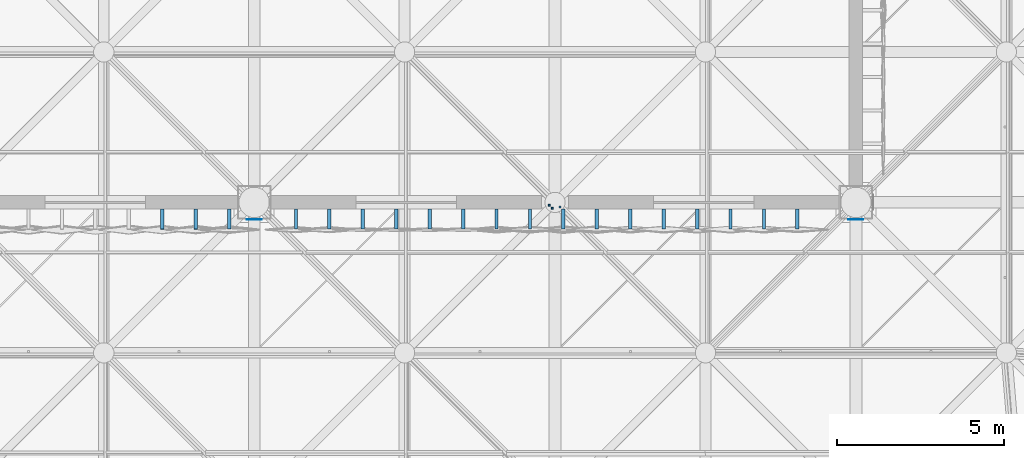
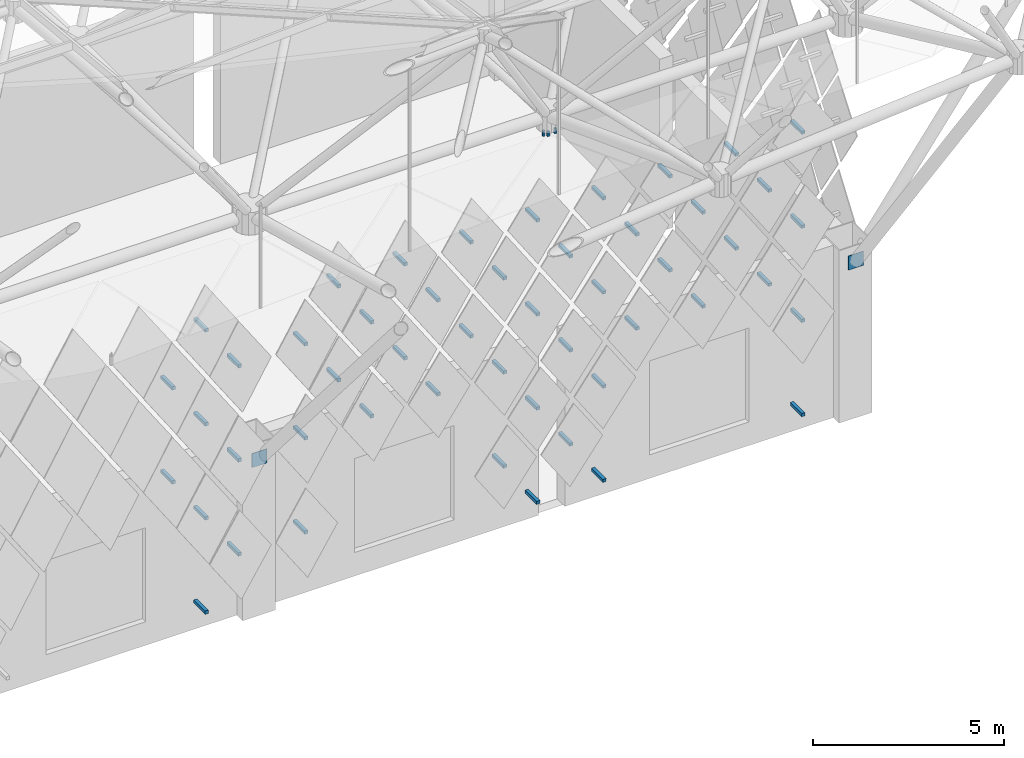
# One storey, part 372 of 437: 55 discrete accessories.
"""IFC4 building model written with IfcOpenShell, lengths in metres."""

from ifc_helpers import new_model, si_unit, direction, frame, origin, place, context, subcontext, project, spatial, polyline, outline, extrude, material, layer, layer_set, type_object, element, save


model = new_model("IFC4")

# Units and contexts
model_context = context("Model", 3, precision=1e-05, world=origin(), true_north=direction((0.0, 1.0)))
body_context = subcontext(model_context, "Body", "Model", "MODEL_VIEW")
ifc_project = project(units=[si_unit("LENGTHUNIT", "METRE"), si_unit("AREAUNIT", "SQUARE_METRE"), si_unit("VOLUMEUNIT", "CUBIC_METRE"), si_unit("PLANEANGLEUNIT", "RADIAN"), si_unit("MASSUNIT", "GRAM", prefix="KILO")], contexts=[model_context])

# Site, building, storey
site_placement = place(None, origin())
site = spatial("IfcSite", under=ifc_project, at=site_placement, CompositionType="ELEMENT")
building_placement = place(site_placement, origin())
building = spatial("IfcBuilding", under=site, at=building_placement, Name="Opaline Strait Convention Centre", CompositionType="ELEMENT")
storey_placement = place(building_placement, frame((0.0, 0.0, 11.5)))
storey = spatial("IfcBuildingStorey", under=building, at=storey_placement, Name="L02", CompositionType="ELEMENT", Elevation=11.5)

# Discrete accessories
ifc_material_1 = material(Name="Structural steel Q355B", Category="steel")
ifc_layer = layer(ifc_material_1, 0.01611328125)
ifc_layer_set = layer_set([ifc_layer], Name="Structural steel Q355B")
discrete_accessory_type_1 = type_object("IfcDiscreteAccessoryType", Name="Prop bearing plate 450 x 450 x 16", PredefinedType="ANCHORPLATE", material=ifc_layer_set)
discrete_accessory_1_placement = place(storey_placement, frame((0.0, 0.0, 4.793701171875)))
element("IfcDiscreteAccessory", 1, at=discrete_accessory_1_placement, inside=storey, type_object=discrete_accessory_type_1, Name="Prop bearing plate 243/54 S", PredefinedType="ANCHORPLATE", context=body_context, shape_type="SweptSolid", body=[
    extrude(outline(polyline([(242.77490234375, 53.48388671875), (243.22509765625, 53.48388671875), (243.22509765625, 53.5), (242.77490234375, 53.5), (242.77490234375, 53.48388671875)])), origin(), (0.0, 0.0, 1.0), 0.449951171875),
])
discrete_accessory_2_placement = place(storey_placement, frame((0.0, 0.0, 4.796875)))
element("IfcDiscreteAccessory", 2, at=discrete_accessory_2_placement, inside=storey, type_object=discrete_accessory_type_1, Name="Prop bearing plate 261/54 S", PredefinedType="ANCHORPLATE", context=body_context, shape_type="SweptSolid", body=[
    extrude(outline(polyline([(260.77490234375, 53.48388671875), (261.22509765625, 53.48388671875), (261.22509765625, 53.5), (260.77490234375, 53.5), (260.77490234375, 53.48388671875)])), origin(), (0.0, 0.0, 1.0), 0.449951171875),
])
ifc_material_2 = material(Name="Steel Q355B", Category="steel")
discrete_accessory_type_2 = type_object("IfcDiscreteAccessoryType", Name="Soffit hanger 60x60 steel", PredefinedType="BRACKET", material=ifc_material_2)
discrete_accessory_3_placement = place(storey_placement, frame((0.0, 0.0, 11.977294921875)))
element("IfcDiscreteAccessory", 3, at=discrete_accessory_3_placement, inside=storey, type_object=discrete_accessory_type_2, Name="Soffit hanger", PredefinedType="BRACKET", context=body_context, shape_type="SweptSolid", body=[
    extrude(outline(polyline([(251.880859375, 53.791015625), (251.940673828125, 53.791015625), (251.940673828125, 53.85107421875), (251.880859375, 53.85107421875), (251.880859375, 53.791015625)])), origin(), (0.0, 0.0, 1.0), 0.16259765625),
])
discrete_accessory_4_placement = place(storey_placement, frame((0.0, 0.0, 11.95849609375)))
element("IfcDiscreteAccessory", 4, at=discrete_accessory_4_placement, inside=storey, type_object=discrete_accessory_type_2, Name="Soffit hanger", PredefinedType="BRACKET", context=body_context, shape_type="SweptSolid", body=[
    extrude(outline(polyline([(251.791015625, 53.880859375), (251.85107421875, 53.880859375), (251.85107421875, 53.940673828125), (251.791015625, 53.940673828125), (251.791015625, 53.880859375)])), origin(), (0.0, 0.0, 1.0), 0.181396484375),
])
discrete_accessory_5_placement = place(storey_placement, frame((0.0, 0.0, 11.967529296875)))
element("IfcDiscreteAccessory", 5, at=discrete_accessory_5_placement, inside=storey, type_object=discrete_accessory_type_2, Name="Soffit hanger", PredefinedType="BRACKET", context=body_context, shape_type="SweptSolid", body=[
    extrude(outline(polyline([(252.111328125, 53.82861328125), (252.17138671875, 53.82861328125), (252.17138671875, 53.888671875), (252.111328125, 53.888671875), (252.111328125, 53.82861328125)])), origin(), (0.0, 0.0, 1.0), 0.17236328125),
])
discrete_accessory_type_3 = type_object("IfcDiscreteAccessoryType", Name="Tile bracket 100x100 steel", PredefinedType="BRACKET", material=ifc_material_2)
discrete_accessory_6_placement = place(storey_placement, frame((241.199951171875, 53.800048828125, 0.89208984375), z_axis=(1.0, 0.0, 0.0), x_axis=(0.0, 1.0, 0.0)))
element("IfcDiscreteAccessory", 6, at=discrete_accessory_6_placement, inside=storey, type_object=discrete_accessory_type_3, Name="Tile bracket XT04 S", PredefinedType="BRACKET", context=body_context, shape_type="SweptSolid", body=[
    extrude(outline(polyline([(0.0, -0.050048828125), (0.0, 0.050048828125), (-0.59814453125, 0.050048828125), (-0.601806640625, -0.050048828125), (0.0, -0.050048828125)])), origin(), (0.0, 0.0, 1.0), 0.10009765625),
])
for number, where, z_axis, x_axis, name in (
    (7, (251.199951171875, 53.800048828125, 0.89208984375), (1.0, 0.0, 0.0), (0.0, 1.0, 0.0), "Tile bracket XT08 S"),
    (8, (253.199951171875, 53.800048828125, 0.89208984375), (1.0, 0.0, 0.0), (0.0, 1.0, 0.0), "Tile bracket XT08 S"),
):
    element("IfcDiscreteAccessory", number, at=place(storey_placement, frame(where, z_axis=z_axis, x_axis=x_axis)), inside=storey, type_object=discrete_accessory_type_3, Name=name, PredefinedType="BRACKET", context=body_context, shape_type="SweptSolid", body=[
        extrude(outline(polyline([(0.0, -0.050048828125), (0.0, 0.050048828125), (-0.603515625, 0.050048828125), (-0.596435546875, -0.050048828125), (0.0, -0.050048828125)])), origin(), (0.0, 0.0, 1.0), 0.10009765625),
    ])
discrete_accessory_7_placement = place(storey_placement, frame((259.199951171875, 53.800048828125, 0.89208984375), z_axis=(1.0, 0.0, 0.0), x_axis=(0.0, 1.0, 0.0)))
element("IfcDiscreteAccessory", 9, at=discrete_accessory_7_placement, inside=storey, type_object=discrete_accessory_type_3, Name="Tile bracket XT02 S", PredefinedType="BRACKET", context=body_context, shape_type="SweptSolid", body=[
    extrude(outline(polyline([(0.0, -0.050048828125), (0.0, 0.050048828125), (-0.600830078125, 0.050048828125), (-0.59912109375, -0.050048828125), (0.0, -0.050048828125)])), origin(), (0.0, 0.0, 1.0), 0.10009765625),
])
for number, where, z_axis, x_axis, name in (
    (10, (242.199951171875, 53.800048828125, 2.39208984375), (1.0, 0.0, 0.0), (0.0, 1.0, 0.0), "Tile bracket XT04 S"),
    (11, (244.199951171875, 53.800048828125, 2.39208984375), (1.0, 0.0, 0.0), (0.0, 1.0, 0.0), "Tile bracket XT04 S"),
):
    element("IfcDiscreteAccessory", number, at=place(storey_placement, frame(where, z_axis=z_axis, x_axis=x_axis)), inside=storey, type_object=discrete_accessory_type_3, Name=name, PredefinedType="BRACKET", context=body_context, shape_type="SweptSolid", body=[
        extrude(outline(polyline([(0.0, -0.050048828125), (0.0, 0.050048828125), (-0.59814453125, 0.050048828125), (-0.601806640625, -0.050048828125), (0.0, -0.050048828125)])), origin(), (0.0, 0.0, 1.0), 0.10009765625),
    ])
discrete_accessory_8_placement = place(storey_placement, frame((250.199951171875, 53.800048828125, 2.39208984375), z_axis=(1.0, 0.0, 0.0), x_axis=(0.0, 1.0, 0.0)))
element("IfcDiscreteAccessory", 12, at=discrete_accessory_8_placement, inside=storey, type_object=discrete_accessory_type_3, Name="Tile bracket XT07 S", PredefinedType="BRACKET", context=body_context, shape_type="SweptSolid", body=[
    extrude(outline(polyline([(0.0, -0.050048828125), (0.0, 0.050048828125), (-0.60302734375, 0.050048828125), (-0.596923828125, -0.050048828125), (0.0, -0.050048828125)])), origin(), (0.0, 0.0, 1.0), 0.10009765625),
])
discrete_accessory_9_placement = place(storey_placement, frame((252.199951171875, 53.800048828125, 2.39208984375), z_axis=(1.0, 0.0, 0.0), x_axis=(0.0, 1.0, 0.0)))
element("IfcDiscreteAccessory", 13, at=discrete_accessory_9_placement, inside=storey, type_object=discrete_accessory_type_3, Name="Tile bracket XT08 S", PredefinedType="BRACKET", context=body_context, shape_type="SweptSolid", body=[
    extrude(outline(polyline([(0.0, -0.050048828125), (0.0, 0.050048828125), (-0.603515625, 0.050048828125), (-0.596435546875, -0.050048828125), (0.0, -0.050048828125)])), origin(), (0.0, 0.0, 1.0), 0.10009765625),
])
discrete_accessory_10_placement = place(storey_placement, frame((241.199951171875, 53.800048828125, 3.89208984375), z_axis=(1.0, 0.0, 0.0), x_axis=(0.0, 1.0, 0.0)))
element("IfcDiscreteAccessory", 14, at=discrete_accessory_10_placement, inside=storey, type_object=discrete_accessory_type_3, Name="Tile bracket XT07 S", PredefinedType="BRACKET", context=body_context, shape_type="SweptSolid", body=[
    extrude(outline(polyline([(0.0, -0.050048828125), (0.0, 0.050048828125), (-0.596923828125, 0.050048828125), (-0.60302734375, -0.050048828125), (0.0, -0.050048828125)])), origin(), (0.0, 0.0, 1.0), 0.10009765625),
])
discrete_accessory_11_placement = place(storey_placement, frame((251.199951171875, 53.800048828125, 3.89208984375), z_axis=(1.0, 0.0, 0.0), x_axis=(0.0, 1.0, 0.0)))
element("IfcDiscreteAccessory", 15, at=discrete_accessory_11_placement, inside=storey, type_object=discrete_accessory_type_3, Name="Tile bracket XT07 S", PredefinedType="BRACKET", context=body_context, shape_type="SweptSolid", body=[
    extrude(outline(polyline([(0.0, -0.050048828125), (0.0, 0.050048828125), (-0.60302734375, 0.050048828125), (-0.596923828125, -0.050048828125), (0.0, -0.050048828125)])), origin(), (0.0, 0.0, 1.0), 0.10009765625),
])
discrete_accessory_12_placement = place(storey_placement, frame((253.199951171875, 53.800048828125, 3.89208984375), z_axis=(1.0, 0.0, 0.0), x_axis=(0.0, 1.0, 0.0)))
element("IfcDiscreteAccessory", 16, at=discrete_accessory_12_placement, inside=storey, type_object=discrete_accessory_type_3, Name="Tile bracket XT08 S", PredefinedType="BRACKET", context=body_context, shape_type="SweptSolid", body=[
    extrude(outline(polyline([(0.0, -0.050048828125), (0.0, 0.050048828125), (-0.603515625, 0.050048828125), (-0.596435546875, -0.050048828125), (0.0, -0.050048828125)])), origin(), (0.0, 0.0, 1.0), 0.10009765625),
])
discrete_accessory_13_placement = place(storey_placement, frame((259.199951171875, 53.800048828125, 3.89208984375), z_axis=(1.0, 0.0, 0.0), x_axis=(0.0, 1.0, 0.0)))
element("IfcDiscreteAccessory", 17, at=discrete_accessory_13_placement, inside=storey, type_object=discrete_accessory_type_3, Name="Tile bracket XT04 S", PredefinedType="BRACKET", context=body_context, shape_type="SweptSolid", body=[
    extrude(outline(polyline([(0.0, -0.050048828125), (0.0, 0.050048828125), (-0.601806640625, 0.050048828125), (-0.59814453125, -0.050048828125), (0.0, -0.050048828125)])), origin(), (0.0, 0.0, 1.0), 0.10009765625),
])
discrete_accessory_14_placement = place(storey_placement, frame((240.199951171875, 53.800048828125, 5.39208984375), z_axis=(1.0, 0.0, 0.0), x_axis=(0.0, 1.0, 0.0)))
element("IfcDiscreteAccessory", 18, at=discrete_accessory_14_placement, inside=storey, type_object=discrete_accessory_type_3, Name="Tile bracket XT09 S", PredefinedType="BRACKET", context=body_context, shape_type="SweptSolid", body=[
    extrude(outline(polyline([(0.0, -0.050048828125), (0.0, 0.050048828125), (-0.595947265625, 0.050048828125), (-0.60400390625, -0.050048828125), (0.0, -0.050048828125)])), origin(), (0.0, 0.0, 1.0), 0.10009765625),
])
discrete_accessory_15_placement = place(storey_placement, frame((242.199951171875, 53.800048828125, 5.39208984375), z_axis=(1.0, 0.0, 0.0), x_axis=(0.0, 1.0, 0.0)))
element("IfcDiscreteAccessory", 19, at=discrete_accessory_15_placement, inside=storey, type_object=discrete_accessory_type_3, Name="Tile bracket XT07 S", PredefinedType="BRACKET", context=body_context, shape_type="SweptSolid", body=[
    extrude(outline(polyline([(0.0, -0.050048828125), (0.0, 0.050048828125), (-0.596923828125, 0.050048828125), (-0.60302734375, -0.050048828125), (0.0, -0.050048828125)])), origin(), (0.0, 0.0, 1.0), 0.10009765625),
])
discrete_accessory_16_placement = place(storey_placement, frame((244.199951171875, 53.800048828125, 5.39208984375), z_axis=(1.0, 0.0, 0.0), x_axis=(0.0, 1.0, 0.0)))
element("IfcDiscreteAccessory", 20, at=discrete_accessory_16_placement, inside=storey, type_object=discrete_accessory_type_3, Name="Tile bracket XT04 S", PredefinedType="BRACKET", context=body_context, shape_type="SweptSolid", body=[
    extrude(outline(polyline([(0.0, -0.050048828125), (0.0, 0.050048828125), (-0.59814453125, 0.050048828125), (-0.601806640625, -0.050048828125), (0.0, -0.050048828125)])), origin(), (0.0, 0.0, 1.0), 0.10009765625),
])
discrete_accessory_17_placement = place(storey_placement, frame((246.199951171875, 53.800048828125, 5.39208984375), z_axis=(1.0, 0.0, 0.0), x_axis=(0.0, 1.0, 0.0)))
element("IfcDiscreteAccessory", 21, at=discrete_accessory_17_placement, inside=storey, type_object=discrete_accessory_type_3, Name="Tile bracket XT03 S", PredefinedType="BRACKET", context=body_context, shape_type="SweptSolid", body=[
    extrude(outline(polyline([(0.0, -0.050048828125), (0.0, 0.050048828125), (-0.5986328125, 0.050048828125), (-0.601318359375, -0.050048828125), (0.0, -0.050048828125)])), origin(), (0.0, 0.0, 1.0), 0.10009765625),
])
discrete_accessory_18_placement = place(storey_placement, frame((248.199951171875, 53.800048828125, 5.39208984375), z_axis=(1.0, 0.0, 0.0), x_axis=(0.0, 1.0, 0.0)))
element("IfcDiscreteAccessory", 22, at=discrete_accessory_18_placement, inside=storey, type_object=discrete_accessory_type_3, Name="Tile bracket XT03 S", PredefinedType="BRACKET", context=body_context, shape_type="SweptSolid", body=[
    extrude(outline(polyline([(0.0, -0.050048828125), (0.0, 0.050048828125), (-0.601318359375, 0.050048828125), (-0.5986328125, -0.050048828125), (0.0, -0.050048828125)])), origin(), (0.0, 0.0, 1.0), 0.10009765625),
])
discrete_accessory_19_placement = place(storey_placement, frame((250.199951171875, 53.800048828125, 5.39208984375), z_axis=(1.0, 0.0, 0.0), x_axis=(0.0, 1.0, 0.0)))
element("IfcDiscreteAccessory", 23, at=discrete_accessory_19_placement, inside=storey, type_object=discrete_accessory_type_3, Name="Tile bracket XT05 S", PredefinedType="BRACKET", context=body_context, shape_type="SweptSolid", body=[
    extrude(outline(polyline([(0.0, -0.050048828125), (0.0, 0.050048828125), (-0.602294921875, 0.050048828125), (-0.597900390625, -0.050048828125), (0.0, -0.050048828125)])), origin(), (0.0, 0.0, 1.0), 0.10009765625),
])
for number, where, z_axis, x_axis, name in (
    (24, (252.199951171875, 53.800048828125, 5.39208984375), (1.0, 0.0, 0.0), (0.0, 1.0, 0.0), "Tile bracket XT07 S"),
    (25, (254.199951171875, 53.800048828125, 5.39208984375), (1.0, 0.0, 0.0), (0.0, 1.0, 0.0), "Tile bracket XT07 S"),
    (26, (256.199951171875, 53.800048828125, 5.39208984375), (1.0, 0.0, 0.0), (0.0, 1.0, 0.0), "Tile bracket XT07 S"),
):
    element("IfcDiscreteAccessory", number, at=place(storey_placement, frame(where, z_axis=z_axis, x_axis=x_axis)), inside=storey, type_object=discrete_accessory_type_3, Name=name, PredefinedType="BRACKET", context=body_context, shape_type="SweptSolid", body=[
        extrude(outline(polyline([(0.0, -0.050048828125), (0.0, 0.050048828125), (-0.60302734375, 0.050048828125), (-0.596923828125, -0.050048828125), (0.0, -0.050048828125)])), origin(), (0.0, 0.0, 1.0), 0.10009765625),
    ])
discrete_accessory_20_placement = place(storey_placement, frame((258.199951171875, 53.800048828125, 5.39208984375), z_axis=(1.0, 0.0, 0.0), x_axis=(0.0, 1.0, 0.0)))
element("IfcDiscreteAccessory", 27, at=discrete_accessory_20_placement, inside=storey, type_object=discrete_accessory_type_3, Name="Tile bracket XT06 S", PredefinedType="BRACKET", context=body_context, shape_type="SweptSolid", body=[
    extrude(outline(polyline([(0.0, -0.050048828125), (0.0, 0.050048828125), (-0.6025390625, 0.050048828125), (-0.597412109375, -0.050048828125), (0.0, -0.050048828125)])), origin(), (0.0, 0.0, 1.0), 0.10009765625),
])
discrete_accessory_21_placement = place(storey_placement, frame((241.199951171875, 53.800048828125, 6.89208984375), z_axis=(1.0, 0.0, 0.0), x_axis=(0.0, 1.0, 0.0)))
element("IfcDiscreteAccessory", 28, at=discrete_accessory_21_placement, inside=storey, type_object=discrete_accessory_type_3, Name="Tile bracket XT09 S", PredefinedType="BRACKET", context=body_context, shape_type="SweptSolid", body=[
    extrude(outline(polyline([(0.0, -0.050048828125), (0.0, 0.050048828125), (-0.595947265625, 0.050048828125), (-0.60400390625, -0.050048828125), (0.0, -0.050048828125)])), origin(), (0.0, 0.0, 1.0), 0.10009765625),
])
discrete_accessory_22_placement = place(storey_placement, frame((245.199951171875, 53.800048828125, 6.89208984375), z_axis=(1.0, 0.0, 0.0), x_axis=(0.0, 1.0, 0.0)))
element("IfcDiscreteAccessory", 29, at=discrete_accessory_22_placement, inside=storey, type_object=discrete_accessory_type_3, Name="Tile bracket XT04 S", PredefinedType="BRACKET", context=body_context, shape_type="SweptSolid", body=[
    extrude(outline(polyline([(0.0, -0.050048828125), (0.0, 0.050048828125), (-0.59814453125, 0.050048828125), (-0.601806640625, -0.050048828125), (0.0, -0.050048828125)])), origin(), (0.0, 0.0, 1.0), 0.10009765625),
])
discrete_accessory_23_placement = place(storey_placement, frame((247.199951171875, 53.800048828125, 6.89208984375), z_axis=(1.0, 0.0, 0.0), x_axis=(0.0, 1.0, 0.0)))
element("IfcDiscreteAccessory", 30, at=discrete_accessory_23_placement, inside=storey, type_object=discrete_accessory_type_3, Name="Tile bracket XT03 S", PredefinedType="BRACKET", context=body_context, shape_type="SweptSolid", body=[
    extrude(outline(polyline([(0.0, -0.050048828125), (0.0, 0.050048828125), (-0.5986328125, 0.050048828125), (-0.601318359375, -0.050048828125), (0.0, -0.050048828125)])), origin(), (0.0, 0.0, 1.0), 0.10009765625),
])
discrete_accessory_24_placement = place(storey_placement, frame((249.199951171875, 53.800048828125, 6.89208984375), z_axis=(1.0, 0.0, 0.0), x_axis=(0.0, 1.0, 0.0)))
element("IfcDiscreteAccessory", 31, at=discrete_accessory_24_placement, inside=storey, type_object=discrete_accessory_type_3, Name="Tile bracket XT03 S", PredefinedType="BRACKET", context=body_context, shape_type="SweptSolid", body=[
    extrude(outline(polyline([(0.0, -0.050048828125), (0.0, 0.050048828125), (-0.601318359375, 0.050048828125), (-0.5986328125, -0.050048828125), (0.0, -0.050048828125)])), origin(), (0.0, 0.0, 1.0), 0.10009765625),
])
discrete_accessory_25_placement = place(storey_placement, frame((251.199951171875, 53.800048828125, 6.89208984375), z_axis=(1.0, 0.0, 0.0), x_axis=(0.0, 1.0, 0.0)))
element("IfcDiscreteAccessory", 32, at=discrete_accessory_25_placement, inside=storey, type_object=discrete_accessory_type_3, Name="Tile bracket XT05 S", PredefinedType="BRACKET", context=body_context, shape_type="SweptSolid", body=[
    extrude(outline(polyline([(0.0, -0.050048828125), (0.0, 0.050048828125), (-0.602294921875, 0.050048828125), (-0.597900390625, -0.050048828125), (0.0, -0.050048828125)])), origin(), (0.0, 0.0, 1.0), 0.10009765625),
])
for number, where, z_axis, x_axis, name in (
    (33, (253.199951171875, 53.800048828125, 6.89208984375), (1.0, 0.0, 0.0), (0.0, 1.0, 0.0), "Tile bracket XT07 S"),
    (34, (255.199951171875, 53.800048828125, 6.89208984375), (1.0, 0.0, 0.0), (0.0, 1.0, 0.0), "Tile bracket XT07 S"),
    (35, (257.199951171875, 53.800048828125, 6.89208984375), (1.0, 0.0, 0.0), (0.0, 1.0, 0.0), "Tile bracket XT07 S"),
):
    element("IfcDiscreteAccessory", number, at=place(storey_placement, frame(where, z_axis=z_axis, x_axis=x_axis)), inside=storey, type_object=discrete_accessory_type_3, Name=name, PredefinedType="BRACKET", context=body_context, shape_type="SweptSolid", body=[
        extrude(outline(polyline([(0.0, -0.050048828125), (0.0, 0.050048828125), (-0.60302734375, 0.050048828125), (-0.596923828125, -0.050048828125), (0.0, -0.050048828125)])), origin(), (0.0, 0.0, 1.0), 0.10009765625),
    ])
discrete_accessory_26_placement = place(storey_placement, frame((259.199951171875, 53.800048828125, 6.89208984375), z_axis=(1.0, 0.0, 0.0), x_axis=(0.0, 1.0, 0.0)))
element("IfcDiscreteAccessory", 36, at=discrete_accessory_26_placement, inside=storey, type_object=discrete_accessory_type_3, Name="Tile bracket XT05 S", PredefinedType="BRACKET", context=body_context, shape_type="SweptSolid", body=[
    extrude(outline(polyline([(0.0, -0.050048828125), (0.0, 0.050048828125), (-0.602294921875, 0.050048828125), (-0.597900390625, -0.050048828125), (0.0, -0.050048828125)])), origin(), (0.0, 0.0, 1.0), 0.10009765625),
])
discrete_accessory_27_placement = place(storey_placement, frame((240.199951171875, 53.800048828125, 8.39208984375), z_axis=(1.0, 0.0, 0.0), x_axis=(0.0, 1.0, 0.0)))
element("IfcDiscreteAccessory", 37, at=discrete_accessory_27_placement, inside=storey, type_object=discrete_accessory_type_3, Name="Tile bracket XT10 S", PredefinedType="BRACKET", context=body_context, shape_type="SweptSolid", body=[
    extrude(outline(polyline([(0.0, -0.050048828125), (0.0, 0.050048828125), (-0.595703125, 0.050048828125), (-0.604248046875, -0.050048828125), (0.0, -0.050048828125)])), origin(), (0.0, 0.0, 1.0), 0.10009765625),
])
discrete_accessory_28_placement = place(storey_placement, frame((242.199951171875, 53.800048828125, 8.39208984375), z_axis=(1.0, 0.0, 0.0), x_axis=(0.0, 1.0, 0.0)))
element("IfcDiscreteAccessory", 38, at=discrete_accessory_28_placement, inside=storey, type_object=discrete_accessory_type_3, Name="Tile bracket XT09 S", PredefinedType="BRACKET", context=body_context, shape_type="SweptSolid", body=[
    extrude(outline(polyline([(0.0, -0.050048828125), (0.0, 0.050048828125), (-0.595947265625, 0.050048828125), (-0.60400390625, -0.050048828125), (0.0, -0.050048828125)])), origin(), (0.0, 0.0, 1.0), 0.10009765625),
])
discrete_accessory_29_placement = place(storey_placement, frame((244.199951171875, 53.800048828125, 8.39208984375), z_axis=(1.0, 0.0, 0.0), x_axis=(0.0, 1.0, 0.0)))
element("IfcDiscreteAccessory", 39, at=discrete_accessory_29_placement, inside=storey, type_object=discrete_accessory_type_3, Name="Tile bracket XT07 S", PredefinedType="BRACKET", context=body_context, shape_type="SweptSolid", body=[
    extrude(outline(polyline([(0.0, -0.050048828125), (0.0, 0.050048828125), (-0.596923828125, 0.050048828125), (-0.60302734375, -0.050048828125), (0.0, -0.050048828125)])), origin(), (0.0, 0.0, 1.0), 0.10009765625),
])
discrete_accessory_30_placement = place(storey_placement, frame((246.199951171875, 53.800048828125, 8.39208984375), z_axis=(1.0, 0.0, 0.0), x_axis=(0.0, 1.0, 0.0)))
element("IfcDiscreteAccessory", 40, at=discrete_accessory_30_placement, inside=storey, type_object=discrete_accessory_type_3, Name="Tile bracket XT04 S", PredefinedType="BRACKET", context=body_context, shape_type="SweptSolid", body=[
    extrude(outline(polyline([(0.0, -0.050048828125), (0.0, 0.050048828125), (-0.59814453125, 0.050048828125), (-0.601806640625, -0.050048828125), (0.0, -0.050048828125)])), origin(), (0.0, 0.0, 1.0), 0.10009765625),
])
discrete_accessory_31_placement = place(storey_placement, frame((248.199951171875, 53.800048828125, 8.39208984375), z_axis=(1.0, 0.0, 0.0), x_axis=(0.0, 1.0, 0.0)))
element("IfcDiscreteAccessory", 41, at=discrete_accessory_31_placement, inside=storey, type_object=discrete_accessory_type_3, Name="Tile bracket XT03 S", PredefinedType="BRACKET", context=body_context, shape_type="SweptSolid", body=[
    extrude(outline(polyline([(0.0, -0.050048828125), (0.0, 0.050048828125), (-0.5986328125, 0.050048828125), (-0.601318359375, -0.050048828125), (0.0, -0.050048828125)])), origin(), (0.0, 0.0, 1.0), 0.10009765625),
])
discrete_accessory_32_placement = place(storey_placement, frame((250.199951171875, 53.800048828125, 8.39208984375), z_axis=(1.0, 0.0, 0.0), x_axis=(0.0, 1.0, 0.0)))
element("IfcDiscreteAccessory", 42, at=discrete_accessory_32_placement, inside=storey, type_object=discrete_accessory_type_3, Name="Tile bracket XT03 S", PredefinedType="BRACKET", context=body_context, shape_type="SweptSolid", body=[
    extrude(outline(polyline([(0.0, -0.050048828125), (0.0, 0.050048828125), (-0.601318359375, 0.050048828125), (-0.5986328125, -0.050048828125), (0.0, -0.050048828125)])), origin(), (0.0, 0.0, 1.0), 0.10009765625),
])
discrete_accessory_33_placement = place(storey_placement, frame((252.199951171875, 53.800048828125, 8.39208984375), z_axis=(1.0, 0.0, 0.0), x_axis=(0.0, 1.0, 0.0)))
element("IfcDiscreteAccessory", 43, at=discrete_accessory_33_placement, inside=storey, type_object=discrete_accessory_type_3, Name="Tile bracket XT04 S", PredefinedType="BRACKET", context=body_context, shape_type="SweptSolid", body=[
    extrude(outline(polyline([(0.0, -0.050048828125), (0.0, 0.050048828125), (-0.601806640625, 0.050048828125), (-0.59814453125, -0.050048828125), (0.0, -0.050048828125)])), origin(), (0.0, 0.0, 1.0), 0.10009765625),
])
discrete_accessory_34_placement = place(storey_placement, frame((254.199951171875, 53.800048828125, 8.39208984375), z_axis=(1.0, 0.0, 0.0), x_axis=(0.0, 1.0, 0.0)))
element("IfcDiscreteAccessory", 44, at=discrete_accessory_34_placement, inside=storey, type_object=discrete_accessory_type_3, Name="Tile bracket XT06 S", PredefinedType="BRACKET", context=body_context, shape_type="SweptSolid", body=[
    extrude(outline(polyline([(0.0, -0.050048828125), (0.0, 0.050048828125), (-0.6025390625, 0.050048828125), (-0.597412109375, -0.050048828125), (0.0, -0.050048828125)])), origin(), (0.0, 0.0, 1.0), 0.10009765625),
])
for number, where, z_axis, x_axis, name in (
    (45, (256.199951171875, 53.800048828125, 8.39208984375), (1.0, 0.0, 0.0), (0.0, 1.0, 0.0), "Tile bracket XT07 S"),
    (46, (258.199951171875, 53.800048828125, 8.39208984375), (1.0, 0.0, 0.0), (0.0, 1.0, 0.0), "Tile bracket XT07 S"),
):
    element("IfcDiscreteAccessory", number, at=place(storey_placement, frame(where, z_axis=z_axis, x_axis=x_axis)), inside=storey, type_object=discrete_accessory_type_3, Name=name, PredefinedType="BRACKET", context=body_context, shape_type="SweptSolid", body=[
        extrude(outline(polyline([(0.0, -0.050048828125), (0.0, 0.050048828125), (-0.60302734375, 0.050048828125), (-0.596923828125, -0.050048828125), (0.0, -0.050048828125)])), origin(), (0.0, 0.0, 1.0), 0.10009765625),
    ])
discrete_accessory_35_placement = place(storey_placement, frame((241.199951171875, 53.800048828125, 9.89208984375), z_axis=(1.0, 0.0, 0.0), x_axis=(0.0, 1.0, 0.0)))
element("IfcDiscreteAccessory", 47, at=discrete_accessory_35_placement, inside=storey, type_object=discrete_accessory_type_3, Name="Tile bracket XT10 S", PredefinedType="BRACKET", context=body_context, shape_type="SweptSolid", body=[
    extrude(outline(polyline([(0.0, -0.050048828125), (0.0, 0.050048828125), (-0.595703125, 0.050048828125), (-0.604248046875, -0.050048828125), (0.0, -0.050048828125)])), origin(), (0.0, 0.0, 1.0), 0.10009765625),
])
discrete_accessory_36_placement = place(storey_placement, frame((245.199951171875, 53.800048828125, 9.89208984375), z_axis=(1.0, 0.0, 0.0), x_axis=(0.0, 1.0, 0.0)))
element("IfcDiscreteAccessory", 48, at=discrete_accessory_36_placement, inside=storey, type_object=discrete_accessory_type_3, Name="Tile bracket XT07 S", PredefinedType="BRACKET", context=body_context, shape_type="SweptSolid", body=[
    extrude(outline(polyline([(0.0, -0.050048828125), (0.0, 0.050048828125), (-0.596923828125, 0.050048828125), (-0.60302734375, -0.050048828125), (0.0, -0.050048828125)])), origin(), (0.0, 0.0, 1.0), 0.10009765625),
])
discrete_accessory_37_placement = place(storey_placement, frame((247.199951171875, 53.800048828125, 9.89208984375), z_axis=(1.0, 0.0, 0.0), x_axis=(0.0, 1.0, 0.0)))
element("IfcDiscreteAccessory", 49, at=discrete_accessory_37_placement, inside=storey, type_object=discrete_accessory_type_3, Name="Tile bracket XT04 S", PredefinedType="BRACKET", context=body_context, shape_type="SweptSolid", body=[
    extrude(outline(polyline([(0.0, -0.050048828125), (0.0, 0.050048828125), (-0.59814453125, 0.050048828125), (-0.601806640625, -0.050048828125), (0.0, -0.050048828125)])), origin(), (0.0, 0.0, 1.0), 0.10009765625),
])
discrete_accessory_38_placement = place(storey_placement, frame((249.199951171875, 53.800048828125, 9.89208984375), z_axis=(1.0, 0.0, 0.0), x_axis=(0.0, 1.0, 0.0)))
element("IfcDiscreteAccessory", 50, at=discrete_accessory_38_placement, inside=storey, type_object=discrete_accessory_type_3, Name="Tile bracket XT03 S", PredefinedType="BRACKET", context=body_context, shape_type="SweptSolid", body=[
    extrude(outline(polyline([(0.0, -0.050048828125), (0.0, 0.050048828125), (-0.5986328125, 0.050048828125), (-0.601318359375, -0.050048828125), (0.0, -0.050048828125)])), origin(), (0.0, 0.0, 1.0), 0.10009765625),
])
discrete_accessory_39_placement = place(storey_placement, frame((251.199951171875, 53.800048828125, 9.89208984375), z_axis=(1.0, 0.0, 0.0), x_axis=(0.0, 1.0, 0.0)))
element("IfcDiscreteAccessory", 51, at=discrete_accessory_39_placement, inside=storey, type_object=discrete_accessory_type_3, Name="Tile bracket XT03 S", PredefinedType="BRACKET", context=body_context, shape_type="SweptSolid", body=[
    extrude(outline(polyline([(0.0, -0.050048828125), (0.0, 0.050048828125), (-0.601318359375, 0.050048828125), (-0.5986328125, -0.050048828125), (0.0, -0.050048828125)])), origin(), (0.0, 0.0, 1.0), 0.10009765625),
])
discrete_accessory_40_placement = place(storey_placement, frame((253.199951171875, 53.800048828125, 9.89208984375), z_axis=(1.0, 0.0, 0.0), x_axis=(0.0, 1.0, 0.0)))
element("IfcDiscreteAccessory", 52, at=discrete_accessory_40_placement, inside=storey, type_object=discrete_accessory_type_3, Name="Tile bracket XT04 S", PredefinedType="BRACKET", context=body_context, shape_type="SweptSolid", body=[
    extrude(outline(polyline([(0.0, -0.050048828125), (0.0, 0.050048828125), (-0.601806640625, 0.050048828125), (-0.59814453125, -0.050048828125), (0.0, -0.050048828125)])), origin(), (0.0, 0.0, 1.0), 0.10009765625),
])
discrete_accessory_41_placement = place(storey_placement, frame((255.199951171875, 53.800048828125, 9.89208984375), z_axis=(1.0, 0.0, 0.0), x_axis=(0.0, 1.0, 0.0)))
element("IfcDiscreteAccessory", 53, at=discrete_accessory_41_placement, inside=storey, type_object=discrete_accessory_type_3, Name="Tile bracket XT06 S", PredefinedType="BRACKET", context=body_context, shape_type="SweptSolid", body=[
    extrude(outline(polyline([(0.0, -0.050048828125), (0.0, 0.050048828125), (-0.6025390625, 0.050048828125), (-0.597412109375, -0.050048828125), (0.0, -0.050048828125)])), origin(), (0.0, 0.0, 1.0), 0.10009765625),
])
discrete_accessory_42_placement = place(storey_placement, frame((257.199951171875, 53.800048828125, 9.89208984375), z_axis=(1.0, 0.0, 0.0), x_axis=(0.0, 1.0, 0.0)))
element("IfcDiscreteAccessory", 54, at=discrete_accessory_42_placement, inside=storey, type_object=discrete_accessory_type_3, Name="Tile bracket XT07 S", PredefinedType="BRACKET", context=body_context, shape_type="SweptSolid", body=[
    extrude(outline(polyline([(0.0, -0.050048828125), (0.0, 0.050048828125), (-0.60302734375, 0.050048828125), (-0.596923828125, -0.050048828125), (0.0, -0.050048828125)])), origin(), (0.0, 0.0, 1.0), 0.10009765625),
])
discrete_accessory_43_placement = place(storey_placement, frame((259.199951171875, 53.800048828125, 9.89208984375), z_axis=(1.0, 0.0, 0.0), x_axis=(0.0, 1.0, 0.0)))
element("IfcDiscreteAccessory", 55, at=discrete_accessory_43_placement, inside=storey, type_object=discrete_accessory_type_3, Name="Tile bracket XT06 S", PredefinedType="BRACKET", context=body_context, shape_type="SweptSolid", body=[
    extrude(outline(polyline([(0.0, -0.050048828125), (0.0, 0.050048828125), (-0.6025390625, 0.050048828125), (-0.597412109375, -0.050048828125), (0.0, -0.050048828125)])), origin(), (0.0, 0.0, 1.0), 0.10009765625),
])

save(model, "model.ifc")
